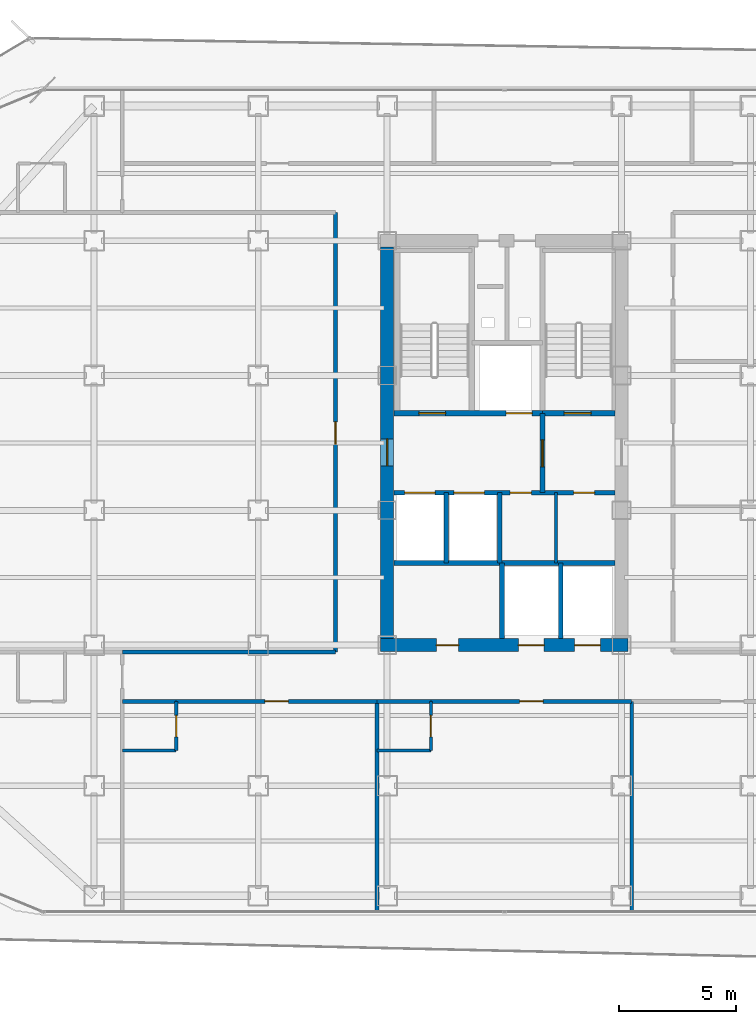
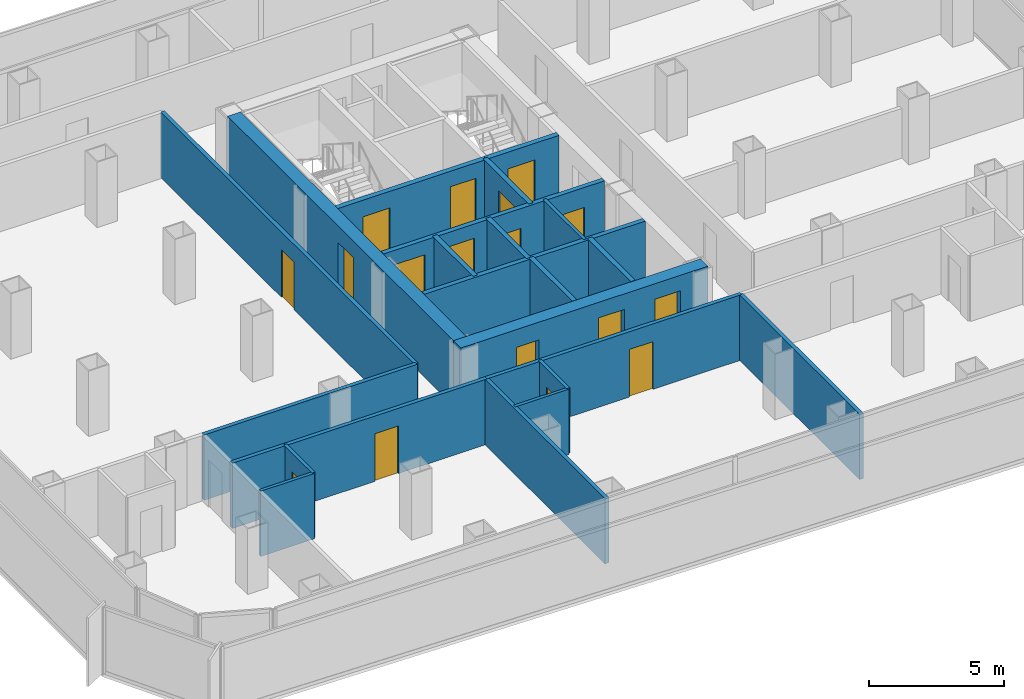
# One storey, part 16 of 21: 24 walls, 17 doors, 17 openings.
"""IFC4 building model written with IfcOpenShell, lengths in metres."""

import ifcopenshell
import ifcopenshell.guid

model = None  # the IFC model being written
_history = None  # IfcOwnerHistory: only IFC2X3 demands one
_inside = {}  # id of a spatial element -> (the spatial element, [elements in it])
_under = {}  # id of a project, library or spatial element -> (it, [spatial elements below it])
_declared = {}  # id of a project -> (the project, [libraries it declares])
_typed = {}  # id of a type object -> (the type object, [elements of that type])
_made_of = {}  # id of a material, layer set ... -> (it, [elements and type objects made of it])


def new_model(schema):
    """Start an empty IFC model of exactly this schema.

    Asked for "IFC4X3", IfcOpenShell would pick the latest addendum, in which some entities
    have other attributes; the version numbers below select the first issue.
    IFC2X3 requires an IfcOwnerHistory on every rooted entity: one is made here for all.
    """
    global model, _history
    if schema == "IFC4X3":
        model = ifcopenshell.file(schema_version=(4, 3, 0, 0))
    else:
        model = ifcopenshell.file(schema=schema)
    _inside.clear()
    _under.clear()
    _declared.clear()
    _typed.clear()
    _made_of.clear()
    _history = None
    if model.schema == "IFC2X3":
        org = make("IfcOrganization", Name="unknown")
        user = make(
            "IfcPersonAndOrganization",
            ThePerson=make("IfcPerson", FamilyName="unknown"),
            TheOrganization=org,
        )
        app = make(
            "IfcApplication",
            ApplicationDeveloper=org,
            Version="unknown",
            ApplicationFullName="unknown",
            ApplicationIdentifier="unknown",
        )
        _history = make(
            "IfcOwnerHistory",
            OwningUser=user,
            OwningApplication=app,
            ChangeAction="ADDED",
            CreationDate=0,
        )
    return model


def make(cls, **values):
    """One entity of the class cls with the attributes given. An attribute that is None is left unset."""
    return model.create_entity(
        cls, **{name: value for name, value in values.items() if value is not None}
    )


def rooted(cls, **values):
    """An entity with a GlobalId (a new one), such as an element, a storey or a relation."""
    return make(cls, GlobalId=ifcopenshell.guid.new(), OwnerHistory=_history, **values)


def si_unit(unit_type, name, prefix=None):
    """IfcSIUnit, for example si_unit("LENGTHUNIT", "METRE", prefix="MILLI")."""
    return make("IfcSIUnit", UnitType=unit_type, Prefix=prefix, Name=name)


def assignment(units):
    """IfcUnitAssignment: the units of a project."""
    return None if units is None else make("IfcUnitAssignment", Units=units)


def point(xyz):
    """IfcCartesianPoint."""
    return None if xyz is None else make("IfcCartesianPoint", Coordinates=xyz)


def direction(xyz):
    """IfcDirection."""
    return None if xyz is None else make("IfcDirection", DirectionRatios=xyz)


def frame(location, z_axis=None, x_axis=None):
    """IfcAxis2Placement3D, a coordinate frame: its origin and axes. An axis left out is left unset."""
    return make(
        "IfcAxis2Placement3D",
        Location=point(location),
        Axis=direction(z_axis),
        RefDirection=direction(x_axis),
    )


def frame_2d(location, x_axis=None):
    """IfcAxis2Placement2D, a coordinate frame in the plane: its origin and x axis."""
    return make(
        "IfcAxis2Placement2D", Location=point(location), RefDirection=direction(x_axis)
    )


def origin():
    """The frame at (0, 0, 0) with its axes left unset."""
    return frame((0.0, 0.0, 0.0))


def place(relative_to, where):
    """IfcLocalPlacement: puts the frame where relative to a parent placement (None: the world)."""
    return make(
        "IfcLocalPlacement", PlacementRelTo=relative_to, RelativePlacement=where
    )


def context(
    kind, dimensions, precision=None, world=None, true_north=None, identifier=None
):
    """IfcGeometricRepresentationContext, for example the 3D "Model" context."""
    return make(
        "IfcGeometricRepresentationContext",
        ContextIdentifier=identifier,
        ContextType=kind,
        CoordinateSpaceDimension=dimensions,
        Precision=precision,
        WorldCoordinateSystem=world,
        TrueNorth=true_north,
    )


def subcontext(parent, identifier, kind, view, scale=None):
    """IfcGeometricRepresentationSubContext, for example "Body" below "Model"."""
    return make(
        "IfcGeometricRepresentationSubContext",
        ContextIdentifier=identifier,
        ContextType=kind,
        ParentContext=parent,
        TargetScale=scale,
        TargetView=view,
    )


def project(units=None, contexts=None):
    """IfcProject with its units and contexts."""
    return rooted(
        "IfcProject",
        Name="project",
        RepresentationContexts=contexts,
        UnitsInContext=assignment(units),
    )


def spatial(cls, under=None, at=None, **own):
    """A site, building, storey or space (cls), placed at a placement, below another one or the project."""
    s = rooted(cls, ObjectPlacement=at, **own)
    if under is not None:
        _under.setdefault(under.id(), (under, []))[1].append(s)
    return s


def profile(cls, at=None, kind="AREA", **sizes):
    """A parametric profile (cls). Its sizes go by their IFC names, for example OverallWidth=200.0."""
    return make(cls, ProfileType=kind, Position=at, **sizes)


def rectangle(**sizes):
    """IfcRectangleProfileDef."""
    return profile("IfcRectangleProfileDef", **sizes)


def extrude(swept, where, along, depth):
    """IfcExtrudedAreaSolid: the profile swept, set in the frame where, extruded along a direction by depth."""
    return make(
        "IfcExtrudedAreaSolid",
        SweptArea=swept,
        Position=where,
        ExtrudedDirection=direction(along),
        Depth=depth,
    )


def shape(context_of_items, identifier, shape_type, items):
    """IfcShapeRepresentation: the items that make up one representation, for example the "Body"."""
    return make(
        "IfcShapeRepresentation",
        ContextOfItems=context_of_items,
        RepresentationIdentifier=identifier,
        RepresentationType=shape_type,
        Items=items,
    )


def material(Name=None, Category=None):
    """IfcMaterial."""
    return make("IfcMaterial", Name=Name, Category=Category)


def layer(
    of_material, thickness, ventilated=None, Name=None, Category=None, Priority=None
):
    """IfcMaterialLayer: one layer of a wall or slab, of a material (None: an air gap)."""
    return make(
        "IfcMaterialLayer",
        Material=of_material,
        LayerThickness=thickness,
        IsVentilated=ventilated,
        Name=Name,
        Category=Category,
        Priority=Priority,
    )


def layer_set(layers, Name=None):
    """IfcMaterialLayerSet."""
    return make("IfcMaterialLayerSet", MaterialLayers=layers, LayerSetName=Name)


def made_of(thing, what):
    """Note that an element or type object is made of a material, layer set ...; save() writes the relation."""
    if what is not None:
        _made_of.setdefault(what.id(), (what, []))[1].append(thing)
    return thing


def type_object(cls, material=None, **own):
    """A type object (cls), such as IfcWallType, which elements share."""
    return made_of(rooted(cls, **own), material)


def element(
    cls,
    number,
    at=None,
    inside=None,
    cuts=None,
    type_object=None,
    material=None,
    context=None,
    identifier="Body",
    shape_type=None,
    held_by="IfcProductDefinitionShape",
    body=None,
    shapes=None,
    **own,
):
    """One element of the class cls, such as IfcWall. Its Tag is "e" and its number.

    at: its placement. inside: the storey or other place that contains it. cuts: it is an
    opening in that element (IfcRelVoidsElement). A single representation is given by context,
    identifier, shape_type and body (its items); several are given by shapes. held_by: the class
    of the entity that holds the representations. save() writes the other relations.
    """
    e = rooted(cls, Tag="e%d" % number, ObjectPlacement=at, **own)
    if body is not None:
        shapes = [shape(context, identifier, shape_type, body)]
    if shapes is not None:
        e.Representation = make(held_by, Representations=shapes)
    if inside is not None:
        _inside.setdefault(inside.id(), (inside, []))[1].append(e)
    if cuts is not None:
        rooted(
            "IfcRelVoidsElement", RelatingBuildingElement=cuts, RelatedOpeningElement=e
        )
    if type_object is not None:
        _typed.setdefault(type_object.id(), (type_object, []))[1].append(e)
    return made_of(e, material)


def fill(opening, filler):
    """IfcRelFillsElement: the door or window that sits in an opening."""
    return rooted(
        "IfcRelFillsElement",
        RelatingOpeningElement=opening,
        RelatedBuildingElement=filler,
    )


def aggregate(whole, parts):
    """IfcRelAggregates: a whole, such as a stair, and the parts it consists of."""
    return rooted("IfcRelAggregates", RelatingObject=whole, RelatedObjects=parts)


def save(model, path):
    """Write the relations noted so far, then the file.

    IfcRelAggregates (storeys below a building ...), IfcRelContainedInSpatialStructure (elements
    in a storey), IfcRelDefinesByType, IfcRelAssociatesMaterial and IfcRelDeclares: one each for
    every whole, place, type object, material and project.
    """
    for whole, parts in _under.values():
        aggregate(whole, parts)
    for where, things in _inside.values():
        rooted(
            "IfcRelContainedInSpatialStructure",
            RelatedElements=things,
            RelatingStructure=where,
        )
    for kind, things in _typed.values():
        rooted("IfcRelDefinesByType", RelatedObjects=things, RelatingType=kind)
    for what, things in _made_of.values():
        rooted("IfcRelAssociatesMaterial", RelatedObjects=things, RelatingMaterial=what)
    for by, libraries in _declared.values():
        rooted("IfcRelDeclares", RelatingContext=by, RelatedDefinitions=libraries)
    model.write(path)


model = new_model("IFC4")

# Units and contexts
model_context = context("Model", 3, precision=1e-05, world=origin(), true_north=direction((0.0, 1.0)))
body_context = subcontext(model_context, "Body", "Model", "MODEL_VIEW")
ifc_project = project(units=[si_unit("LENGTHUNIT", "METRE"), si_unit("AREAUNIT", "SQUARE_METRE"), si_unit("VOLUMEUNIT", "CUBIC_METRE"), si_unit("PLANEANGLEUNIT", "RADIAN"), si_unit("MASSUNIT", "GRAM", prefix="KILO")], contexts=[model_context])

# Site, building, storey
site_placement = place(None, origin())
site = spatial("IfcSite", under=ifc_project, at=site_placement, CompositionType="ELEMENT")
building_placement = place(site_placement, origin())
building = spatial("IfcBuilding", under=site, at=building_placement, Name="Kolveth Station Tower", CompositionType="ELEMENT")
storey_placement = place(building_placement, frame((0.0, 0.0, 118.300048828125)))
storey = spatial("IfcBuildingStorey", under=building, at=storey_placement, Name="L32", CompositionType="ELEMENT", Elevation=118.300048828125)

# Wall, openings, doors
ifc_material_1 = material(Name="Concrete C60/75", Category="concrete")
ifc_layer_1 = layer(ifc_material_1, 0.550048828125)
ifc_layer_set_1 = layer_set([ifc_layer_1], Name="Concrete C60/75")
wall_type_1 = type_object("IfcWallType", Name="Wall_CW-550", PredefinedType="SHEAR", material=ifc_layer_set_1)
wall_1_placement = place(storey_placement, frame((18.22509765625, 11.5, 0.0), z_axis=(0.0, 0.0, 1.0), x_axis=(1.0, 0.0, 0.0)))
wall_1 = element("IfcWall", 1, at=wall_1_placement, inside=storey, type_object=wall_type_1, Name="L32 Core RC Shear Wall S", PredefinedType="SHEAR", context=body_context, shape_type="SweptSolid", body=[
    extrude(rectangle(XDim=10.5498046875, YDim=0.550048828125, at=frame_2d((5.27490234375, 0.0))), origin(), (0.0, 0.0, 1.0), 2.949951171875),
])
opening_1_placement = place(wall_1_placement, frame((2.375, 0.0, 0.0)))
opening_1 = element("IfcOpeningElement", 2, at=opening_1_placement, cuts=wall_1, Name="Opening ID1", PredefinedType="OPENING", context=body_context, shape_type="SweptSolid", body=[
    extrude(rectangle(XDim=0.949951171875, YDim=2.14990234375, at=frame_2d((0.47509765625, 1.074951171875))), frame((0.0, 0.284912109375, 0.0), z_axis=(0.0, -1.0, 0.0), x_axis=(1.0, 0.0, 0.0)), (0.0, 0.0, 1.0), 0.570068359375),
])
opening_2_placement = place(wall_1_placement, frame((5.875, 0.0, 0.0)))
opening_2 = element("IfcOpeningElement", 3, at=opening_2_placement, cuts=wall_1, Name="Opening LD1", PredefinedType="OPENING", context=body_context, shape_type="SweptSolid", body=[
    extrude(rectangle(XDim=1.10009765625, YDim=2.25, at=frame_2d((0.550048828125, 1.125))), frame((0.0, 0.284912109375, 0.0), z_axis=(0.0, -1.0, 0.0), x_axis=(1.0, 0.0, 0.0)), (0.0, 0.0, 1.0), 0.570068359375),
])
opening_3_placement = place(wall_1_placement, frame((8.27490234375, 0.0, 0.0)))
opening_3 = element("IfcOpeningElement", 4, at=opening_3_placement, cuts=wall_1, Name="Opening LD1", PredefinedType="OPENING", context=body_context, shape_type="SweptSolid", body=[
    extrude(rectangle(XDim=1.10009765625, YDim=2.25, at=frame_2d((0.550048828125, 1.125))), frame((0.0, 0.284912109375, 0.0), z_axis=(0.0, -1.0, 0.0), x_axis=(1.0, 0.0, 0.0)), (0.0, 0.0, 1.0), 0.570068359375),
])
ifc_material_2 = material(Name="Acoustic hardwood leaf and aluminium frame", Category="wood")
door_type_1 = type_object("IfcDoorType", Name="Door_ID1", OperationType="NOTDEFINED", PredefinedType="DOOR", material=ifc_material_2)
door_1_placement = place(opening_1_placement, frame((0.949951171875, 0.0, 0.0), z_axis=(0.0, 0.0, 1.0), x_axis=(-1.0, 0.0, 0.0)))
door_1 = element("IfcDoor", 5, at=door_1_placement, inside=storey, type_object=door_type_1, Name="L32 Hotel Pantry Door", OperationType="SINGLE_SWING_RIGHT", OverallHeight=2.14990234375, OverallWidth=0.949951171875, PredefinedType="DOOR", context=body_context, shape_type="SweptSolid", body=[
    extrude(rectangle(XDim=0.949951171875, YDim=2.14990234375, at=frame_2d((0.47509765625, 1.074951171875))), frame((0.0, 0.02490234375, 0.0), z_axis=(0.0, -1.0, 0.0), x_axis=(1.0, 0.0, 0.0)), (0.0, 0.0, 1.0), 0.050048828125),
])
fill(opening_1, door_1)
ifc_material_3 = material(Name="Brushed stainless steel sliding landing doors", Category="steel")
door_type_2 = type_object("IfcDoorType", Name="Door_LD1", OperationType="NOTDEFINED", PredefinedType="DOOR", material=ifc_material_3)
door_2_placement = place(opening_2_placement, frame((1.10009765625, 0.0, 0.0), z_axis=(0.0, 0.0, 1.0), x_axis=(-1.0, 0.0, 0.0)))
door_2 = element("IfcDoor", 6, at=door_2_placement, inside=storey, type_object=door_type_2, Name="L32 Lift PM1 Landing Door", OperationType="DOUBLE_DOOR_SLIDING", OverallHeight=2.25, OverallWidth=1.10009765625, PredefinedType="DOOR", context=body_context, shape_type="SweptSolid", body=[
    extrude(rectangle(XDim=1.10009765625, YDim=2.25, at=frame_2d((0.550048828125, 1.125))), frame((0.0, 0.02490234375, 0.0), z_axis=(0.0, -1.0, 0.0), x_axis=(1.0, 0.0, 0.0)), (0.0, 0.0, 1.0), 0.050048828125),
])
fill(opening_2, door_2)
door_3_placement = place(opening_3_placement, frame((1.10009765625, 0.0, 0.0), z_axis=(0.0, 0.0, 1.0), x_axis=(-1.0, 0.0, 0.0)))
door_3 = element("IfcDoor", 7, at=door_3_placement, inside=storey, type_object=door_type_2, Name="L32 Lift PH1 Landing Door", OperationType="DOUBLE_DOOR_SLIDING", OverallHeight=2.25, OverallWidth=1.10009765625, PredefinedType="DOOR", context=body_context, shape_type="SweptSolid", body=[
    extrude(rectangle(XDim=1.10009765625, YDim=2.25, at=frame_2d((0.550048828125, 1.125))), frame((0.0, 0.02490234375, 0.0), z_axis=(0.0, -1.0, 0.0), x_axis=(1.0, 0.0, 0.0)), (0.0, 0.0, 1.0), 0.050048828125),
])
fill(opening_3, door_3)

# Wall, opening, door
wall_2_placement = place(storey_placement, frame((18.5, 11.77490234375, 0.0), z_axis=(0.0, 0.0, 1.0), x_axis=(0.0, 1.0, 0.0)))
wall_2 = element("IfcWall", 8, at=wall_2_placement, inside=storey, type_object=wall_type_1, Name="L32 Core RC Shear Wall W", PredefinedType="SHEAR", context=body_context, shape_type="SweptSolid", body=[
    extrude(rectangle(XDim=16.7001953125, YDim=0.550048828125, at=frame_2d((8.35009765625, 0.0))), origin(), (0.0, 0.0, 1.0), 2.949951171875),
])
opening_4_placement = place(wall_2_placement, frame((7.375, 0.0, 0.0)))
opening_4 = element("IfcOpeningElement", 9, at=opening_4_placement, cuts=wall_2, Name="Opening FD1", PredefinedType="OPENING", context=body_context, shape_type="SweptSolid", body=[
    extrude(rectangle(XDim=1.14990234375, YDim=2.199951171875, at=frame_2d((0.574951171875, 1.10009765625))), frame((0.0, 0.284912109375, 0.0), z_axis=(0.0, -1.0, 0.0), x_axis=(1.0, 0.0, 0.0)), (0.0, 0.0, 1.0), 0.570068359375),
])
ifc_material_4 = material(Name="Fire-rated Steel S355 leaf and frame", Category="steel")
door_type_3 = type_object("IfcDoorType", Name="Door_FD1", OperationType="NOTDEFINED", PredefinedType="DOOR", material=ifc_material_4)
door_4_placement = place(opening_4_placement, frame((1.14990234375, 0.0, 0.0), z_axis=(0.0, 0.0, 1.0), x_axis=(-1.0, 0.0, 0.0)))
door_4 = element("IfcDoor", 10, at=door_4_placement, inside=storey, type_object=door_type_3, Name="L32 West Corridor to Firefighting Lobby Door", OperationType="SINGLE_SWING_RIGHT", OverallHeight=2.199951171875, OverallWidth=1.14990234375, PredefinedType="DOOR", context=body_context, shape_type="SweptSolid", body=[
    extrude(rectangle(XDim=1.14990234375, YDim=2.199951171875, at=frame_2d((0.574951171875, 1.10009765625))), frame((0.0, 0.02490234375, 0.0), z_axis=(0.0, -1.0, 0.0), x_axis=(1.0, 0.0, 0.0)), (0.0, 0.0, 1.0), 0.050048828125),
])
fill(opening_4, door_4)

# Wall
ifc_material_5 = material(Name="Moisture-resistant gypsum partition")
ifc_layer_2 = layer(ifc_material_5, 0.135009765625)
ifc_layer_set_2 = layer_set([ifc_layer_2], Name="Moisture-resistant gypsum partition")
wall_type_2 = type_object("IfcWallType", Name="Wall_IW-135", PredefinedType="PARTITIONING", material=ifc_layer_set_2)
wall_3_placement = place(storey_placement, frame((25.699951171875, 15.0, 0.0), z_axis=(0.0, 0.0, 1.0), x_axis=(0.0, 1.0, 0.0)))
element("IfcWall", 11, at=wall_3_placement, inside=storey, type_object=wall_type_2, Name="L32 Partition Wall WL-L32-CB-V1", PredefinedType="PARTITIONING", context=body_context, shape_type="SweptSolid", body=[
    extrude(rectangle(XDim=3.0, YDim=0.135009765625, at=frame_2d((1.5, 0.0))), origin(), (0.0, 0.0, 1.0), 2.949951171875),
])

# Wall, opening, door
wall_4_placement = place(storey_placement, frame((9.5, 7.0, 0.0), z_axis=(0.0, 0.0, 1.0), x_axis=(0.0, 1.0, 0.0)))
wall_4 = element("IfcWall", 12, at=wall_4_placement, inside=storey, type_object=wall_type_2, Name="L32 Partition Wall WL-L32-HS1-BV", PredefinedType="PARTITIONING", context=body_context, shape_type="SweptSolid", body=[
    extrude(rectangle(XDim=2.10009765625, YDim=0.135009765625, at=frame_2d((1.050048828125, 0.0))), origin(), (0.0, 0.0, 1.0), 2.949951171875),
])
opening_5_placement = place(wall_4_placement, frame((0.580078125, 0.0, 0.0)))
opening_5 = element("IfcOpeningElement", 13, at=opening_5_placement, cuts=wall_4, Name="Opening ID2", PredefinedType="OPENING", context=body_context, shape_type="SweptSolid", body=[
    extrude(rectangle(XDim=0.919921875, YDim=2.10009765625, at=frame_2d((0.4599609375, 1.050048828125))), frame((0.0, 0.077392578125, 0.0), z_axis=(0.0, -1.0, 0.0), x_axis=(1.0, 0.0, 0.0)), (0.0, 0.0, 1.0), 0.155029296875),
])
ifc_material_6 = material(Name="Moisture-resistant hardwood leaf", Category="wood")
door_type_4 = type_object("IfcDoorType", Name="Door_ID2", OperationType="NOTDEFINED", PredefinedType="DOOR", material=ifc_material_6)
door_5_placement = place(opening_5_placement, frame((0.919921875, 0.0, 0.0), z_axis=(0.0, 0.0, 1.0), x_axis=(-1.0, 0.0, 0.0)))
door_5 = element("IfcDoor", 14, at=door_5_placement, inside=storey, type_object=door_type_4, Name="L32 Hotel Corner Suite HS1 En-Suite Door", OperationType="SINGLE_SWING_LEFT", OverallHeight=2.10009765625, OverallWidth=0.919921875, PredefinedType="DOOR", context=body_context, shape_type="SweptSolid", body=[
    extrude(rectangle(XDim=0.919921875, YDim=2.10009765625, at=frame_2d((0.4599609375, 1.050048828125))), frame((0.0, 0.02490234375, 0.0), z_axis=(0.0, -1.0, 0.0), x_axis=(1.0, 0.0, 0.0)), (0.0, 0.0, 1.0), 0.050048828125),
])
fill(opening_5, door_5)

# Wall
wall_5_placement = place(storey_placement, frame((7.199951171875, 7.0, 0.0), z_axis=(0.0, 0.0, 1.0), x_axis=(1.0, 0.0, 0.0)))
element("IfcWall", 15, at=wall_5_placement, inside=storey, type_object=wall_type_2, Name="L32 Partition Wall WL-L32-HS1-BH", PredefinedType="PARTITIONING", context=body_context, shape_type="SweptSolid", body=[
    extrude(rectangle(XDim=2.300048828125, YDim=0.135009765625, at=frame_2d((1.14990234375, 0.0))), origin(), (0.0, 0.0, 1.0), 2.949951171875),
])

# Wall, opening, door
wall_6_placement = place(storey_placement, frame((20.366943359375, 7.0, 0.0), z_axis=(0.0, 0.0, 1.0), x_axis=(0.0, 1.0, 0.0)))
wall_6 = element("IfcWall", 16, at=wall_6_placement, inside=storey, type_object=wall_type_2, Name="L32 Partition Wall WL-L32-HS2-BV", PredefinedType="PARTITIONING", context=body_context, shape_type="SweptSolid", body=[
    extrude(rectangle(XDim=2.10009765625, YDim=0.135009765625, at=frame_2d((1.050048828125, 0.0))), origin(), (0.0, 0.0, 1.0), 2.949951171875),
])
opening_6_placement = place(wall_6_placement, frame((0.580078125, 0.0, 0.0)))
opening_6 = element("IfcOpeningElement", 17, at=opening_6_placement, cuts=wall_6, Name="Opening ID2", PredefinedType="OPENING", context=body_context, shape_type="SweptSolid", body=[
    extrude(rectangle(XDim=0.919921875, YDim=2.10009765625, at=frame_2d((0.4599609375, 1.050048828125))), frame((0.0, 0.077392578125, 0.0), z_axis=(0.0, -1.0, 0.0), x_axis=(1.0, 0.0, 0.0)), (0.0, 0.0, 1.0), 0.155029296875),
])
door_6_placement = place(opening_6_placement, frame((0.919921875, 0.0, 0.0), z_axis=(0.0, 0.0, 1.0), x_axis=(-1.0, 0.0, 0.0)))
door_6 = element("IfcDoor", 18, at=door_6_placement, inside=storey, type_object=door_type_4, Name="L32 Hotel Corner Suite HS2 En-Suite Door", OperationType="SINGLE_SWING_LEFT", OverallHeight=2.10009765625, OverallWidth=0.919921875, PredefinedType="DOOR", context=body_context, shape_type="SweptSolid", body=[
    extrude(rectangle(XDim=0.919921875, YDim=2.10009765625, at=frame_2d((0.4599609375, 1.050048828125))), frame((0.0, 0.02490234375, 0.0), z_axis=(0.0, -1.0, 0.0), x_axis=(1.0, 0.0, 0.0)), (0.0, 0.0, 1.0), 0.050048828125),
])
fill(opening_6, door_6)

# Walls
wall_7_placement = place(storey_placement, frame((18.06689453125, 7.0, 0.0), z_axis=(0.0, 0.0, 1.0), x_axis=(1.0, 0.0, 0.0)))
element("IfcWall", 19, at=wall_7_placement, inside=storey, type_object=wall_type_2, Name="L32 Partition Wall WL-L32-HS2-BH", PredefinedType="PARTITIONING", context=body_context, shape_type="SweptSolid", body=[
    extrude(rectangle(XDim=2.300048828125, YDim=0.135009765625, at=frame_2d((1.14990234375, 0.0))), origin(), (0.0, 0.0, 1.0), 2.949951171875),
])
ifc_material_7 = material(Name="Acoustic double-stud gypsum partition")
ifc_layer_3 = layer(ifc_material_7, 0.1650390625)
ifc_layer_set_3 = layer_set([ifc_layer_3], Name="Acoustic double-stud gypsum partition")
wall_type_3 = type_object("IfcWallType", Name="Wall_IW-165", PredefinedType="PARTITIONING", material=ifc_layer_set_3)
wall_8_placement = place(storey_placement, frame((7.199951171875, 11.199951171875, 0.0), z_axis=(0.0, 0.0, 1.0), x_axis=(1.0, 0.0, 0.0)))
element("IfcWall", 20, at=wall_8_placement, inside=storey, type_object=wall_type_3, Name="L32 Partition Wall WL-L32-HSWT", PredefinedType="PARTITIONING", context=body_context, shape_type="SweptSolid", body=[
    extrude(rectangle(XDim=9.10009765625, YDim=0.1650390625, at=frame_2d((4.550048828125, 0.0))), origin(), (0.0, 0.0, 1.0), 2.949951171875),
])

# Wall, opening, door
wall_9_placement = place(storey_placement, frame((16.300048828125, 11.199951171875, 0.0), z_axis=(0.0, 0.0, 1.0), x_axis=(0.0, 1.0, 0.0)))
wall_9 = element("IfcWall", 21, at=wall_9_placement, inside=storey, type_object=wall_type_3, Name="L32 Partition Wall WL-L32-HW", PredefinedType="PARTITIONING", context=body_context, shape_type="SweptSolid", body=[
    extrude(rectangle(XDim=18.75, YDim=0.1650390625, at=frame_2d((9.375, 0.0))), origin(), (0.0, 0.0, 1.0), 2.949951171875),
])
opening_7_placement = place(wall_9_placement, frame((8.875, 0.0, 0.0)))
opening_7 = element("IfcOpeningElement", 22, at=opening_7_placement, cuts=wall_9, Name="Opening ID1", PredefinedType="OPENING", context=body_context, shape_type="SweptSolid", body=[
    extrude(rectangle(XDim=0.949951171875, YDim=2.14990234375, at=frame_2d((0.47509765625, 1.074951171875))), frame((0.0, 0.092529296875, 0.0), z_axis=(0.0, -1.0, 0.0), x_axis=(1.0, 0.0, 0.0)), (0.0, 0.0, 1.0), 0.18505859375),
])
door_7_placement = place(opening_7_placement, frame((0.949951171875, 0.0, 0.0), z_axis=(0.0, 0.0, 1.0), x_axis=(-1.0, 0.0, 0.0)))
door_7 = element("IfcDoor", 23, at=door_7_placement, inside=storey, type_object=door_type_1, Name="L32 Hotel Club Lounge West Door", OperationType="SINGLE_SWING_LEFT", OverallHeight=2.14990234375, OverallWidth=0.949951171875, PredefinedType="DOOR", context=body_context, shape_type="SweptSolid", body=[
    extrude(rectangle(XDim=0.949951171875, YDim=2.14990234375, at=frame_2d((0.47509765625, 1.074951171875))), frame((0.0, 0.02490234375, 0.0), z_axis=(0.0, -1.0, 0.0), x_axis=(1.0, 0.0, 0.0)), (0.0, 0.0, 1.0), 0.050048828125),
])
fill(opening_7, door_7)

# Wall
wall_10_placement = place(storey_placement, frame((7.199951171875, 9.10009765625, 0.0), z_axis=(0.0, 0.0, 1.0), x_axis=(1.0, 0.0, 0.0)))
element("IfcWall", 24, at=wall_10_placement, inside=storey, type_object=wall_type_3, Name="L32 Partition Wall WL-L32-HS1-BCOR", PredefinedType="PARTITIONING", context=body_context, shape_type="SweptSolid", body=[
    extrude(rectangle(XDim=2.300048828125, YDim=0.1650390625, at=frame_2d((1.14990234375, 0.0))), origin(), (0.0, 0.0, 1.0), 2.949951171875),
])

# Wall, opening, door
wall_11_placement = place(storey_placement, frame((9.5, 9.10009765625, 0.0), z_axis=(0.0, 0.0, 1.0), x_axis=(1.0, 0.0, 0.0)))
wall_11 = element("IfcWall", 25, at=wall_11_placement, inside=storey, type_object=wall_type_3, Name="L32 Partition Wall WL-L32-HS1-RCOR", PredefinedType="PARTITIONING", context=body_context, shape_type="SweptSolid", body=[
    extrude(rectangle(XDim=8.56689453125, YDim=0.1650390625, at=frame_2d((4.283447265625, 0.0))), origin(), (0.0, 0.0, 1.0), 2.949951171875),
])
opening_8_placement = place(wall_11_placement, frame((3.783935546875, 0.0, 0.0)))
opening_8 = element("IfcOpeningElement", 26, at=opening_8_placement, cuts=wall_11, Name="Opening FD3", PredefinedType="OPENING", context=body_context, shape_type="SweptSolid", body=[
    extrude(rectangle(XDim=1.0, YDim=2.14990234375, at=frame_2d((0.5, 1.074951171875))), frame((0.0, 0.092529296875, 0.0), z_axis=(0.0, -1.0, 0.0), x_axis=(1.0, 0.0, 0.0)), (0.0, 0.0, 1.0), 0.18505859375),
])
ifc_material_8 = material(Name="Fire-rated hardwood leaf and aluminium frame", Category="wood")
door_type_5 = type_object("IfcDoorType", Name="Door_FD3", OperationType="NOTDEFINED", PredefinedType="DOOR", material=ifc_material_8)
door_8_placement = place(opening_8_placement, frame((1.0, 0.0, 0.0), z_axis=(0.0, 0.0, 1.0), x_axis=(-1.0, 0.0, 0.0)))
door_8 = element("IfcDoor", 27, at=door_8_placement, inside=storey, type_object=door_type_5, Name="L32 Hotel Corner Suite HS1 Entrance Door", OperationType="SINGLE_SWING_RIGHT", OverallHeight=2.14990234375, OverallWidth=1.0, PredefinedType="DOOR", context=body_context, shape_type="SweptSolid", body=[
    extrude(rectangle(XDim=1.0, YDim=2.14990234375, at=frame_2d((0.5, 1.074951171875))), frame((0.0, 0.02490234375, 0.0), z_axis=(0.0, -1.0, 0.0), x_axis=(1.0, 0.0, 0.0)), (0.0, 0.0, 1.0), 0.050048828125),
])
fill(opening_8, door_8)

# Walls
wall_12_placement = place(storey_placement, frame((18.06689453125, 0.159912109375, 0.0), z_axis=(0.0, 0.0, 1.0), x_axis=(0.0, 1.0, 0.0)))
element("IfcWall", 28, at=wall_12_placement, inside=storey, type_object=wall_type_3, Name="L32 Partition Wall WL-L32-HSK-1", PredefinedType="PARTITIONING", context=body_context, shape_type="SweptSolid", body=[
    extrude(rectangle(XDim=8.940185546875, YDim=0.1650390625, at=frame_2d((4.47021484375, 0.0))), origin(), (0.0, 0.0, 1.0), 2.949951171875),
])
wall_13_placement = place(storey_placement, frame((18.06689453125, 9.10009765625, 0.0), z_axis=(0.0, 0.0, 1.0), x_axis=(1.0, 0.0, 0.0)))
element("IfcWall", 29, at=wall_13_placement, inside=storey, type_object=wall_type_3, Name="L32 Partition Wall WL-L32-HS2-BCOR", PredefinedType="PARTITIONING", context=body_context, shape_type="SweptSolid", body=[
    extrude(rectangle(XDim=2.300048828125, YDim=0.1650390625, at=frame_2d((1.14990234375, 0.0))), origin(), (0.0, 0.0, 1.0), 2.949951171875),
])

# Wall, opening, door
wall_14_placement = place(storey_placement, frame((20.366943359375, 9.10009765625, 0.0), z_axis=(0.0, 0.0, 1.0), x_axis=(1.0, 0.0, 0.0)))
wall_14 = element("IfcWall", 30, at=wall_14_placement, inside=storey, type_object=wall_type_3, Name="L32 Partition Wall WL-L32-HS2-RCOR", PredefinedType="PARTITIONING", context=body_context, shape_type="SweptSolid", body=[
    extrude(rectangle(XDim=8.566162109375, YDim=0.1650390625, at=frame_2d((4.283203125, 0.0))), origin(), (0.0, 0.0, 1.0), 2.949951171875),
])
opening_9_placement = place(wall_14_placement, frame((3.782958984375, 0.0, 0.0)))
opening_9 = element("IfcOpeningElement", 31, at=opening_9_placement, cuts=wall_14, Name="Opening FD3", PredefinedType="OPENING", context=body_context, shape_type="SweptSolid", body=[
    extrude(rectangle(XDim=1.0, YDim=2.14990234375, at=frame_2d((0.5, 1.074951171875))), frame((0.0, 0.092529296875, 0.0), z_axis=(0.0, -1.0, 0.0), x_axis=(1.0, 0.0, 0.0)), (0.0, 0.0, 1.0), 0.18505859375),
])
door_9_placement = place(opening_9_placement, frame((1.0, 0.0, 0.0), z_axis=(0.0, 0.0, 1.0), x_axis=(-1.0, 0.0, 0.0)))
door_9 = element("IfcDoor", 32, at=door_9_placement, inside=storey, type_object=door_type_5, Name="L32 Hotel Corner Suite HS2 Entrance Door", OperationType="SINGLE_SWING_RIGHT", OverallHeight=2.14990234375, OverallWidth=1.0, PredefinedType="DOOR", context=body_context, shape_type="SweptSolid", body=[
    extrude(rectangle(XDim=1.0, YDim=2.14990234375, at=frame_2d((0.5, 1.074951171875))), frame((0.0, 0.02490234375, 0.0), z_axis=(0.0, -1.0, 0.0), x_axis=(1.0, 0.0, 0.0)), (0.0, 0.0, 1.0), 0.050048828125),
])
fill(opening_9, door_9)

# Wall
wall_15_placement = place(storey_placement, frame((28.93310546875, 0.159912109375, 0.0), z_axis=(0.0, 0.0, 1.0), x_axis=(0.0, 1.0, 0.0)))
element("IfcWall", 33, at=wall_15_placement, inside=storey, type_object=wall_type_3, Name="L32 Partition Wall WL-L32-HSK-2", PredefinedType="PARTITIONING", context=body_context, shape_type="SweptSolid", body=[
    extrude(rectangle(XDim=8.940185546875, YDim=0.1650390625, at=frame_2d((4.47021484375, 0.0))), origin(), (0.0, 0.0, 1.0), 2.949951171875),
])

# Wall, opening, door
ifc_material_9 = material(Name="Acoustic fire-rated gypsum blockwork", Category="masonry")
ifc_layer_4 = layer(ifc_material_9, 0.199951171875)
ifc_layer_set_4 = layer_set([ifc_layer_4], Name="Acoustic fire-rated gypsum blockwork")
wall_type_4 = type_object("IfcWallType", Name="Wall_IW-200", PredefinedType="PARTITIONING", material=ifc_layer_set_4)
wall_16_placement = place(storey_placement, frame((25.1298828125, 18.0, 0.0), z_axis=(0.0, 0.0, 1.0), x_axis=(0.0, 1.0, 0.0)))
wall_16 = element("IfcWall", 34, at=wall_16_placement, inside=storey, type_object=wall_type_4, Name="L32 Partition Wall WL-L32-FFL-E", PredefinedType="PARTITIONING", context=body_context, shape_type="SweptSolid", body=[
    extrude(rectangle(XDim=3.389892578125, YDim=0.199951171875, at=frame_2d((1.69482421875, 0.0))), origin(), (0.0, 0.0, 1.0), 2.949951171875),
])
opening_10_placement = place(wall_16_placement, frame((1.10009765625, 0.0, 0.0)))
opening_10 = element("IfcOpeningElement", 35, at=opening_10_placement, cuts=wall_16, Name="Opening FD1", PredefinedType="OPENING", context=body_context, shape_type="SweptSolid", body=[
    extrude(rectangle(XDim=1.14990234375, YDim=2.199951171875, at=frame_2d((0.574951171875, 1.10009765625))), frame((0.0, 0.10986328125, 0.0), z_axis=(0.0, -1.0, 0.0), x_axis=(1.0, 0.0, 0.0)), (0.0, 0.0, 1.0), 0.219970703125),
])
door_10_placement = place(opening_10_placement, origin())
door_10 = element("IfcDoor", 36, at=door_10_placement, inside=storey, type_object=door_type_3, Name="L32 Firefighting to Stair Lobby Door", OperationType="SINGLE_SWING_LEFT", OverallHeight=2.199951171875, OverallWidth=1.14990234375, PredefinedType="DOOR", context=body_context, shape_type="SweptSolid", body=[
    extrude(rectangle(XDim=1.14990234375, YDim=2.199951171875, at=frame_2d((0.574951171875, 1.10009765625))), frame((0.0, 0.02490234375, 0.0), z_axis=(0.0, -1.0, 0.0), x_axis=(1.0, 0.0, 0.0)), (0.0, 0.0, 1.0), 0.050048828125),
])
fill(opening_10, door_10)

# Wall, openings, doors
wall_17_placement = place(storey_placement, frame((18.784912109375, 18.0, 0.0), z_axis=(0.0, 0.0, 1.0), x_axis=(1.0, 0.0, 0.0)))
wall_17 = element("IfcWall", 37, at=wall_17_placement, inside=storey, type_object=wall_type_4, Name="L32 Partition Wall WL-L32-FFL-S", PredefinedType="PARTITIONING", context=body_context, shape_type="SweptSolid", body=[
    extrude(rectangle(XDim=9.43017578125, YDim=0.199951171875, at=frame_2d((4.715087890625, 0.0))), origin(), (0.0, 0.0, 1.0), 2.949951171875),
])
opening_11_placement = place(wall_17_placement, frame((0.465087890625, 0.0, 0.0)))
opening_11 = element("IfcOpeningElement", 38, at=opening_11_placement, cuts=wall_17, Name="Opening LD2", PredefinedType="OPENING", context=body_context, shape_type="SweptSolid", body=[
    extrude(rectangle(XDim=1.300048828125, YDim=2.300048828125, at=frame_2d((0.64990234375, 1.14990234375))), frame((0.0, 0.10986328125, 0.0), z_axis=(0.0, -1.0, 0.0), x_axis=(1.0, 0.0, 0.0)), (0.0, 0.0, 1.0), 0.219970703125),
])
opening_12_placement = place(wall_17_placement, frame((2.56494140625, 0.0, 0.0)))
opening_12 = element("IfcOpeningElement", 39, at=opening_12_placement, cuts=wall_17, Name="Opening LD2", PredefinedType="OPENING", context=body_context, shape_type="SweptSolid", body=[
    extrude(rectangle(XDim=1.300048828125, YDim=2.300048828125, at=frame_2d((0.64990234375, 1.14990234375))), frame((0.0, 0.10986328125, 0.0), z_axis=(0.0, -1.0, 0.0), x_axis=(1.0, 0.0, 0.0)), (0.0, 0.0, 1.0), 0.219970703125),
])
opening_13_placement = place(wall_17_placement, frame((4.965087890625, 0.0, 0.0)))
opening_13 = element("IfcOpeningElement", 40, at=opening_13_placement, cuts=wall_17, Name="Opening RD1", PredefinedType="OPENING", context=body_context, shape_type="SweptSolid", body=[
    extrude(rectangle(XDim=0.89990234375, YDim=2.050048828125, at=frame_2d((0.449951171875, 1.02490234375))), frame((0.0, 0.10986328125, 0.0), z_axis=(0.0, -1.0, 0.0), x_axis=(1.0, 0.0, 0.0)), (0.0, 0.0, 1.0), 0.219970703125),
])
opening_14_placement = place(wall_17_placement, frame((7.6650390625, 0.0, 0.0)))
opening_14 = element("IfcOpeningElement", 41, at=opening_14_placement, cuts=wall_17, Name="Opening RD1", PredefinedType="OPENING", context=body_context, shape_type="SweptSolid", body=[
    extrude(rectangle(XDim=0.89990234375, YDim=2.050048828125, at=frame_2d((0.449951171875, 1.02490234375))), frame((0.0, 0.10986328125, 0.0), z_axis=(0.0, -1.0, 0.0), x_axis=(1.0, 0.0, 0.0)), (0.0, 0.0, 1.0), 0.219970703125),
])
ifc_material_10 = material(Name="Firefighting stainless steel sliding landing doors", Category="steel")
door_type_6 = type_object("IfcDoorType", Name="Door_LD2", OperationType="NOTDEFINED", PredefinedType="DOOR", material=ifc_material_10)
door_11_placement = place(opening_11_placement, origin())
door_11 = element("IfcDoor", 42, at=door_11_placement, inside=storey, type_object=door_type_6, Name="L32 Firefighting Lift FF1 Landing Door", OperationType="DOUBLE_DOOR_SLIDING", OverallHeight=2.300048828125, OverallWidth=1.300048828125, PredefinedType="DOOR", context=body_context, shape_type="SweptSolid", body=[
    extrude(rectangle(XDim=1.300048828125, YDim=2.300048828125, at=frame_2d((0.64990234375, 1.14990234375))), frame((0.0, 0.02490234375, 0.0), z_axis=(0.0, -1.0, 0.0), x_axis=(1.0, 0.0, 0.0)), (0.0, 0.0, 1.0), 0.050048828125),
])
fill(opening_11, door_11)
door_12_placement = place(opening_12_placement, origin())
door_12 = element("IfcDoor", 43, at=door_12_placement, inside=storey, type_object=door_type_6, Name="L32 Firefighting Lift FF2 Landing Door", OperationType="DOUBLE_DOOR_SLIDING", OverallHeight=2.300048828125, OverallWidth=1.300048828125, PredefinedType="DOOR", context=body_context, shape_type="SweptSolid", body=[
    extrude(rectangle(XDim=1.300048828125, YDim=2.300048828125, at=frame_2d((0.64990234375, 1.14990234375))), frame((0.0, 0.02490234375, 0.0), z_axis=(0.0, -1.0, 0.0), x_axis=(1.0, 0.0, 0.0)), (0.0, 0.0, 1.0), 0.050048828125),
])
fill(opening_12, door_12)
ifc_material_11 = material(Name="Fire-rated Steel S355 riser access leaf", Category="steel")
door_type_7 = type_object("IfcDoorType", Name="Door_RD1", OperationType="NOTDEFINED", PredefinedType="DOOR", material=ifc_material_11)
door_13_placement = place(opening_13_placement, frame((0.89990234375, 0.0, 0.0), z_axis=(0.0, 0.0, 1.0), x_axis=(-1.0, 0.0, 0.0)))
door_13 = element("IfcDoor", 44, at=door_13_placement, inside=storey, type_object=door_type_7, Name="L32 Core Accessible WC Door", OperationType="SINGLE_SWING_LEFT", OverallHeight=2.050048828125, OverallWidth=0.89990234375, PredefinedType="DOOR", context=body_context, shape_type="SweptSolid", body=[
    extrude(rectangle(XDim=0.89990234375, YDim=2.050048828125, at=frame_2d((0.449951171875, 1.02490234375))), frame((0.0, 0.02490234375, 0.0), z_axis=(0.0, -1.0, 0.0), x_axis=(1.0, 0.0, 0.0)), (0.0, 0.0, 1.0), 0.050048828125),
])
fill(opening_13, door_13)
door_14_placement = place(opening_14_placement, frame((0.89990234375, 0.0, 0.0), z_axis=(0.0, 0.0, 1.0), x_axis=(-1.0, 0.0, 0.0)))
door_14 = element("IfcDoor", 45, at=door_14_placement, inside=storey, type_object=door_type_7, Name="L32 Housekeeping and Linen Room Door", OperationType="SINGLE_SWING_LEFT", OverallHeight=2.050048828125, OverallWidth=0.89990234375, PredefinedType="DOOR", context=body_context, shape_type="SweptSolid", body=[
    extrude(rectangle(XDim=0.89990234375, YDim=2.050048828125, at=frame_2d((0.449951171875, 1.02490234375))), frame((0.0, 0.02490234375, 0.0), z_axis=(0.0, -1.0, 0.0), x_axis=(1.0, 0.0, 0.0)), (0.0, 0.0, 1.0), 0.050048828125),
])
fill(opening_14, door_14)

# Walls
for number, where, z_axis, x_axis, name in (
    (46, (21.02001953125, 15.0, 0.0), (0.0, 0.0, 1.0), (0.0, 1.0, 0.0), "L32 Partition Wall WL-L32-FF12"),
    (47, (23.300048828125, 15.0, 0.0), (0.0, 0.0, 1.0), (0.0, 1.0, 0.0), "L32 Partition Wall WL-L32-FF2E"),
):
    element("IfcWall", number, at=place(storey_placement, frame(where, z_axis=z_axis, x_axis=x_axis)), inside=storey, type_object=wall_type_4, Name=name, PredefinedType="PARTITIONING", context=body_context, shape_type="SweptSolid", body=[
        extrude(rectangle(XDim=3.0, YDim=0.199951171875, at=frame_2d((1.5, 0.0))), origin(), (0.0, 0.0, 1.0), 2.949951171875),
    ])
wall_18_placement = place(storey_placement, frame((18.784912109375, 15.0, 0.0), z_axis=(0.0, 0.0, 1.0), x_axis=(1.0, 0.0, 0.0)))
element("IfcWall", 48, at=wall_18_placement, inside=storey, type_object=wall_type_4, Name="L32 Partition Wall WL-L32-BOH-S", PredefinedType="PARTITIONING", context=body_context, shape_type="SweptSolid", body=[
    extrude(rectangle(XDim=9.43017578125, YDim=0.199951171875, at=frame_2d((4.715087890625, 0.0))), origin(), (0.0, 0.0, 1.0), 2.949951171875),
])
for number, where, z_axis, x_axis, name in (
    (49, (23.39990234375, 11.784912109375, 0.0), (0.0, 0.0, 1.0), (0.0, 1.0, 0.0), "L32 Partition Wall WL-L32-PL2E"),
    (50, (25.89990234375, 11.784912109375, 0.0), (0.0, 0.0, 1.0), (0.0, 1.0, 0.0), "L32 Partition Wall WL-L32-PMPH"),
):
    element("IfcWall", number, at=place(storey_placement, frame(where, z_axis=z_axis, x_axis=x_axis)), inside=storey, type_object=wall_type_4, Name=name, PredefinedType="PARTITIONING", context=body_context, shape_type="SweptSolid", body=[
        extrude(rectangle(XDim=3.215087890625, YDim=0.199951171875, at=frame_2d((1.607421875, 0.0))), origin(), (0.0, 0.0, 1.0), 2.949951171875),
    ])

# Wall, openings, doors
ifc_material_12 = material(Name="Concrete C40/50", Category="concrete")
ifc_layer_5 = layer(ifc_material_12, 0.219970703125)
ifc_layer_set_5 = layer_set([ifc_layer_5], Name="Concrete C40/50")
wall_type_5 = type_object("IfcWallType", Name="Wall_IW-220", PredefinedType="SOLIDWALL", material=ifc_layer_set_5)
wall_19_placement = place(storey_placement, frame((18.784912109375, 21.389892578125, 0.0), z_axis=(0.0, 0.0, 1.0), x_axis=(1.0, 0.0, 0.0)))
wall_19 = element("IfcWall", 51, at=wall_19_placement, inside=storey, type_object=wall_type_5, Name="L32 Stair Shaft Wall WL-L32-ST1-S", PredefinedType="SOLIDWALL", context=body_context, shape_type="SweptSolid", body=[
    extrude(rectangle(XDim=6.344970703125, YDim=0.219970703125, at=frame_2d((3.17236328125, 0.0))), origin(), (0.0, 0.0, 1.0), 2.949951171875),
])
opening_15_placement = place(wall_19_placement, frame((1.06494140625, 0.0, 0.0)))
opening_15 = element("IfcOpeningElement", 52, at=opening_15_placement, cuts=wall_19, Name="Opening FD1", PredefinedType="OPENING", context=body_context, shape_type="SweptSolid", body=[
    extrude(rectangle(XDim=1.14990234375, YDim=2.199951171875, at=frame_2d((0.574951171875, 1.10009765625))), frame((0.0, 0.119873046875, 0.0), z_axis=(0.0, -1.0, 0.0), x_axis=(1.0, 0.0, 0.0)), (0.0, 0.0, 1.0), 0.239990234375),
])
opening_16_placement = place(wall_19_placement, frame((4.794921875, 0.0, 0.0)))
opening_16 = element("IfcOpeningElement", 53, at=opening_16_placement, cuts=wall_19, Name="Opening LD1", PredefinedType="OPENING", context=body_context, shape_type="SweptSolid", body=[
    extrude(rectangle(XDim=1.10009765625, YDim=2.25, at=frame_2d((0.550048828125, 1.125))), frame((0.0, 0.119873046875, 0.0), z_axis=(0.0, -1.0, 0.0), x_axis=(1.0, 0.0, 0.0)), (0.0, 0.0, 1.0), 0.239990234375),
])
door_15_placement = place(opening_15_placement, frame((1.14990234375, 0.0, 0.0), z_axis=(0.0, 0.0, 1.0), x_axis=(-1.0, 0.0, 0.0)))
door_15 = element("IfcDoor", 54, at=door_15_placement, inside=storey, type_object=door_type_3, Name="L32 Stair ST1 Fire Door", OperationType="SINGLE_SWING_LEFT", OverallHeight=2.199951171875, OverallWidth=1.14990234375, PredefinedType="DOOR", context=body_context, shape_type="SweptSolid", body=[
    extrude(rectangle(XDim=1.14990234375, YDim=2.199951171875, at=frame_2d((0.574951171875, 1.10009765625))), frame((0.0, 0.02490234375, 0.0), z_axis=(0.0, -1.0, 0.0), x_axis=(1.0, 0.0, 0.0)), (0.0, 0.0, 1.0), 0.050048828125),
])
fill(opening_15, door_15)
door_16_placement = place(opening_16_placement, frame((1.10009765625, 0.0, 0.0), z_axis=(0.0, 0.0, 1.0), x_axis=(-1.0, 0.0, 0.0)))
door_16 = element("IfcDoor", 55, at=door_16_placement, inside=storey, type_object=door_type_2, Name="L32 Service Lift SV1 Landing Door", OperationType="DOUBLE_DOOR_SLIDING", OverallHeight=2.25, OverallWidth=1.10009765625, PredefinedType="DOOR", context=body_context, shape_type="SweptSolid", body=[
    extrude(rectangle(XDim=1.10009765625, YDim=2.25, at=frame_2d((0.550048828125, 1.125))), frame((0.0, 0.02490234375, 0.0), z_axis=(0.0, -1.0, 0.0), x_axis=(1.0, 0.0, 0.0)), (0.0, 0.0, 1.0), 0.050048828125),
])
fill(opening_16, door_16)

# Wall, opening, door
wall_20_placement = place(storey_placement, frame((25.1298828125, 21.389892578125, 0.0), z_axis=(0.0, 0.0, 1.0), x_axis=(1.0, 0.0, 0.0)))
wall_20 = element("IfcWall", 56, at=wall_20_placement, inside=storey, type_object=wall_type_5, Name="L32 Stair Shaft Wall WL-L32-ST2-S", PredefinedType="SOLIDWALL", context=body_context, shape_type="SweptSolid", body=[
    extrude(rectangle(XDim=3.085205078125, YDim=0.219970703125, at=frame_2d((1.54248046875, 0.0))), origin(), (0.0, 0.0, 1.0), 2.949951171875),
])
opening_17_placement = place(wall_20_placement, frame((0.919921875, 0.0, 0.0)))
opening_17 = element("IfcOpeningElement", 57, at=opening_17_placement, cuts=wall_20, Name="Opening FD1", PredefinedType="OPENING", context=body_context, shape_type="SweptSolid", body=[
    extrude(rectangle(XDim=1.14990234375, YDim=2.199951171875, at=frame_2d((0.574951171875, 1.10009765625))), frame((0.0, 0.119873046875, 0.0), z_axis=(0.0, -1.0, 0.0), x_axis=(1.0, 0.0, 0.0)), (0.0, 0.0, 1.0), 0.239990234375),
])
door_17_placement = place(opening_17_placement, frame((1.14990234375, 0.0, 0.0), z_axis=(0.0, 0.0, 1.0), x_axis=(-1.0, 0.0, 0.0)))
door_17 = element("IfcDoor", 58, at=door_17_placement, inside=storey, type_object=door_type_3, Name="L32 Stair ST2 Fire Door", OperationType="SINGLE_SWING_RIGHT", OverallHeight=2.199951171875, OverallWidth=1.14990234375, PredefinedType="DOOR", context=body_context, shape_type="SweptSolid", body=[
    extrude(rectangle(XDim=1.14990234375, YDim=2.199951171875, at=frame_2d((0.574951171875, 1.10009765625))), frame((0.0, 0.02490234375, 0.0), z_axis=(0.0, -1.0, 0.0), x_axis=(1.0, 0.0, 0.0)), (0.0, 0.0, 1.0), 0.050048828125),
])
fill(opening_17, door_17)

save(model, "model.ifc")
